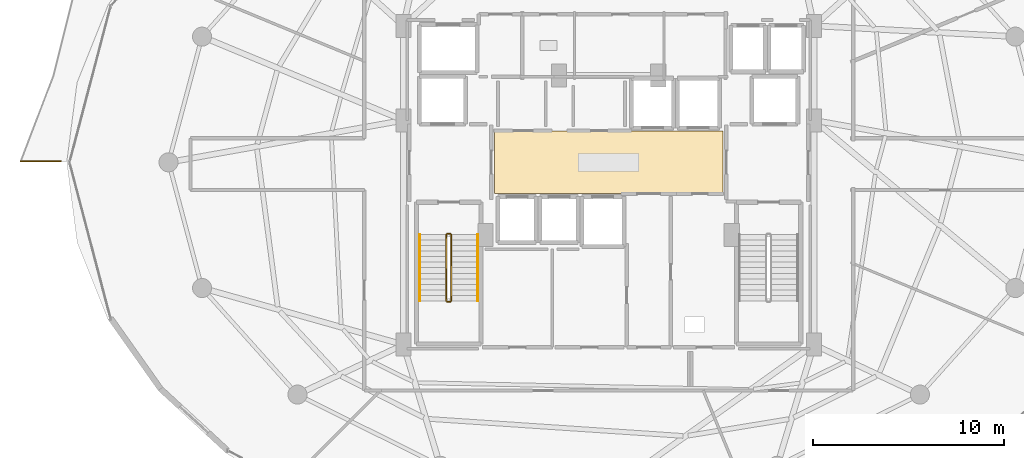
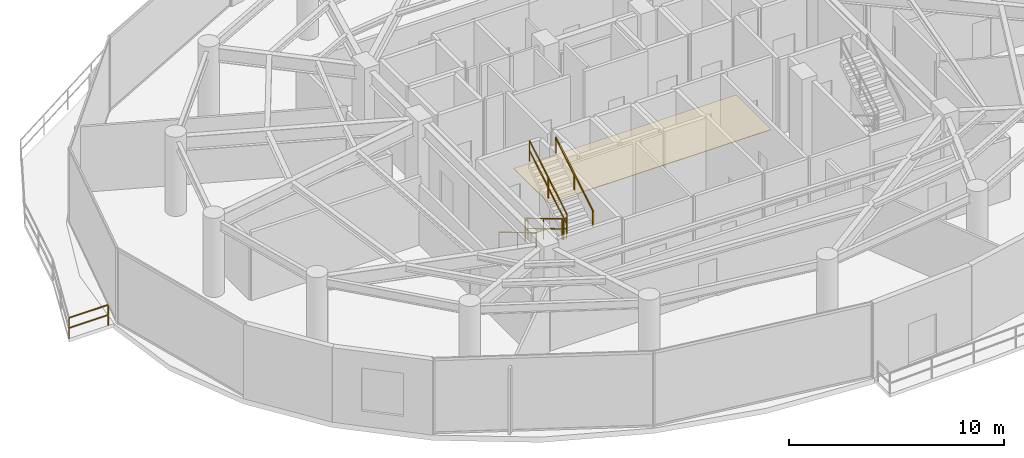
# One storey, part 28 of 31: 7 railings, 1 covering.
"""IFC4 building model written with IfcOpenShell, lengths in metres."""

import ifcopenshell
import ifcopenshell.guid

model = None  # the IFC model being written
_history = None  # IfcOwnerHistory: only IFC2X3 demands one
_inside = {}  # id of a spatial element -> (the spatial element, [elements in it])
_under = {}  # id of a project, library or spatial element -> (it, [spatial elements below it])
_declared = {}  # id of a project -> (the project, [libraries it declares])
_typed = {}  # id of a type object -> (the type object, [elements of that type])
_made_of = {}  # id of a material, layer set ... -> (it, [elements and type objects made of it])


def new_model(schema):
    """Start an empty IFC model of exactly this schema.

    Asked for "IFC4X3", IfcOpenShell would pick the latest addendum, in which some entities
    have other attributes; the version numbers below select the first issue.
    IFC2X3 requires an IfcOwnerHistory on every rooted entity: one is made here for all.
    """
    global model, _history
    if schema == "IFC4X3":
        model = ifcopenshell.file(schema_version=(4, 3, 0, 0))
    else:
        model = ifcopenshell.file(schema=schema)
    _inside.clear()
    _under.clear()
    _declared.clear()
    _typed.clear()
    _made_of.clear()
    _history = None
    if model.schema == "IFC2X3":
        org = make("IfcOrganization", Name="unknown")
        user = make(
            "IfcPersonAndOrganization",
            ThePerson=make("IfcPerson", FamilyName="unknown"),
            TheOrganization=org,
        )
        app = make(
            "IfcApplication",
            ApplicationDeveloper=org,
            Version="unknown",
            ApplicationFullName="unknown",
            ApplicationIdentifier="unknown",
        )
        _history = make(
            "IfcOwnerHistory",
            OwningUser=user,
            OwningApplication=app,
            ChangeAction="ADDED",
            CreationDate=0,
        )
    return model


def make(cls, **values):
    """One entity of the class cls with the attributes given. An attribute that is None is left unset."""
    return model.create_entity(
        cls, **{name: value for name, value in values.items() if value is not None}
    )


def rooted(cls, **values):
    """An entity with a GlobalId (a new one), such as an element, a storey or a relation."""
    return make(cls, GlobalId=ifcopenshell.guid.new(), OwnerHistory=_history, **values)


def si_unit(unit_type, name, prefix=None):
    """IfcSIUnit, for example si_unit("LENGTHUNIT", "METRE", prefix="MILLI")."""
    return make("IfcSIUnit", UnitType=unit_type, Prefix=prefix, Name=name)


def assignment(units):
    """IfcUnitAssignment: the units of a project."""
    return None if units is None else make("IfcUnitAssignment", Units=units)


def point(xyz):
    """IfcCartesianPoint."""
    return None if xyz is None else make("IfcCartesianPoint", Coordinates=xyz)


def direction(xyz):
    """IfcDirection."""
    return None if xyz is None else make("IfcDirection", DirectionRatios=xyz)


def frame(location, z_axis=None, x_axis=None):
    """IfcAxis2Placement3D, a coordinate frame: its origin and axes. An axis left out is left unset."""
    return make(
        "IfcAxis2Placement3D",
        Location=point(location),
        Axis=direction(z_axis),
        RefDirection=direction(x_axis),
    )


def frame_2d(location, x_axis=None):
    """IfcAxis2Placement2D, a coordinate frame in the plane: its origin and x axis."""
    return make(
        "IfcAxis2Placement2D", Location=point(location), RefDirection=direction(x_axis)
    )


def origin():
    """The frame at (0, 0, 0) with its axes left unset."""
    return frame((0.0, 0.0, 0.0))


def origin_2d():
    """The frame at (0, 0) in the plane with its x axis left unset."""
    return frame_2d((0.0, 0.0))


def place(relative_to, where):
    """IfcLocalPlacement: puts the frame where relative to a parent placement (None: the world)."""
    return make(
        "IfcLocalPlacement", PlacementRelTo=relative_to, RelativePlacement=where
    )


def context(
    kind, dimensions, precision=None, world=None, true_north=None, identifier=None
):
    """IfcGeometricRepresentationContext, for example the 3D "Model" context."""
    return make(
        "IfcGeometricRepresentationContext",
        ContextIdentifier=identifier,
        ContextType=kind,
        CoordinateSpaceDimension=dimensions,
        Precision=precision,
        WorldCoordinateSystem=world,
        TrueNorth=true_north,
    )


def subcontext(parent, identifier, kind, view, scale=None):
    """IfcGeometricRepresentationSubContext, for example "Body" below "Model"."""
    return make(
        "IfcGeometricRepresentationSubContext",
        ContextIdentifier=identifier,
        ContextType=kind,
        ParentContext=parent,
        TargetScale=scale,
        TargetView=view,
    )


def project(units=None, contexts=None):
    """IfcProject with its units and contexts."""
    return rooted(
        "IfcProject",
        Name="project",
        RepresentationContexts=contexts,
        UnitsInContext=assignment(units),
    )


def spatial(cls, under=None, at=None, **own):
    """A site, building, storey or space (cls), placed at a placement, below another one or the project."""
    s = rooted(cls, ObjectPlacement=at, **own)
    if under is not None:
        _under.setdefault(under.id(), (under, []))[1].append(s)
    return s


def polyline(points):
    """IfcPolyline through the points."""
    return make("IfcPolyline", Points=[point(p) for p in points])


def profile(cls, at=None, kind="AREA", **sizes):
    """A parametric profile (cls). Its sizes go by their IFC names, for example OverallWidth=200.0."""
    return make(cls, ProfileType=kind, Position=at, **sizes)


def rectangle(**sizes):
    """IfcRectangleProfileDef."""
    return profile("IfcRectangleProfileDef", **sizes)


def outline(outer, holes=None, kind="AREA"):
    """IfcArbitraryClosedProfileDef: a profile drawn as a closed curve; with holes, ...WithVoids."""
    if holes is None:
        return make("IfcArbitraryClosedProfileDef", ProfileType=kind, OuterCurve=outer)
    return make(
        "IfcArbitraryProfileDefWithVoids",
        ProfileType=kind,
        OuterCurve=outer,
        InnerCurves=holes,
    )


def extrude(swept, where, along, depth):
    """IfcExtrudedAreaSolid: the profile swept, set in the frame where, extruded along a direction by depth."""
    return make(
        "IfcExtrudedAreaSolid",
        SweptArea=swept,
        Position=where,
        ExtrudedDirection=direction(along),
        Depth=depth,
    )


def shape(context_of_items, identifier, shape_type, items):
    """IfcShapeRepresentation: the items that make up one representation, for example the "Body"."""
    return make(
        "IfcShapeRepresentation",
        ContextOfItems=context_of_items,
        RepresentationIdentifier=identifier,
        RepresentationType=shape_type,
        Items=items,
    )


def material(Name=None, Category=None):
    """IfcMaterial."""
    return make("IfcMaterial", Name=Name, Category=Category)


def layer(
    of_material, thickness, ventilated=None, Name=None, Category=None, Priority=None
):
    """IfcMaterialLayer: one layer of a wall or slab, of a material (None: an air gap)."""
    return make(
        "IfcMaterialLayer",
        Material=of_material,
        LayerThickness=thickness,
        IsVentilated=ventilated,
        Name=Name,
        Category=Category,
        Priority=Priority,
    )


def layer_set(layers, Name=None):
    """IfcMaterialLayerSet."""
    return make("IfcMaterialLayerSet", MaterialLayers=layers, LayerSetName=Name)


def made_of(thing, what):
    """Note that an element or type object is made of a material, layer set ...; save() writes the relation."""
    if what is not None:
        _made_of.setdefault(what.id(), (what, []))[1].append(thing)
    return thing


def type_object(cls, material=None, **own):
    """A type object (cls), such as IfcWallType, which elements share."""
    return made_of(rooted(cls, **own), material)


def element(
    cls,
    number,
    at=None,
    inside=None,
    cuts=None,
    type_object=None,
    material=None,
    context=None,
    identifier="Body",
    shape_type=None,
    held_by="IfcProductDefinitionShape",
    body=None,
    shapes=None,
    **own,
):
    """One element of the class cls, such as IfcWall. Its Tag is "e" and its number.

    at: its placement. inside: the storey or other place that contains it. cuts: it is an
    opening in that element (IfcRelVoidsElement). A single representation is given by context,
    identifier, shape_type and body (its items); several are given by shapes. held_by: the class
    of the entity that holds the representations. save() writes the other relations.
    """
    e = rooted(cls, Tag="e%d" % number, ObjectPlacement=at, **own)
    if body is not None:
        shapes = [shape(context, identifier, shape_type, body)]
    if shapes is not None:
        e.Representation = make(held_by, Representations=shapes)
    if inside is not None:
        _inside.setdefault(inside.id(), (inside, []))[1].append(e)
    if cuts is not None:
        rooted(
            "IfcRelVoidsElement", RelatingBuildingElement=cuts, RelatedOpeningElement=e
        )
    if type_object is not None:
        _typed.setdefault(type_object.id(), (type_object, []))[1].append(e)
    return made_of(e, material)


def aggregate(whole, parts):
    """IfcRelAggregates: a whole, such as a stair, and the parts it consists of."""
    return rooted("IfcRelAggregates", RelatingObject=whole, RelatedObjects=parts)


def save(model, path):
    """Write the relations noted so far, then the file.

    IfcRelAggregates (storeys below a building ...), IfcRelContainedInSpatialStructure (elements
    in a storey), IfcRelDefinesByType, IfcRelAssociatesMaterial and IfcRelDeclares: one each for
    every whole, place, type object, material and project.
    """
    for whole, parts in _under.values():
        aggregate(whole, parts)
    for where, things in _inside.values():
        rooted(
            "IfcRelContainedInSpatialStructure",
            RelatedElements=things,
            RelatingStructure=where,
        )
    for kind, things in _typed.values():
        rooted("IfcRelDefinesByType", RelatedObjects=things, RelatingType=kind)
    for what, things in _made_of.values():
        rooted("IfcRelAssociatesMaterial", RelatedObjects=things, RelatingMaterial=what)
    for by, libraries in _declared.values():
        rooted("IfcRelDeclares", RelatingContext=by, RelatedDefinitions=libraries)
    model.write(path)


model = new_model("IFC4")

# Units and contexts
model_context = context("Model", 3, precision=1e-05, world=origin(), true_north=direction((0.0, 1.0)))
body_context = subcontext(model_context, "Body", "Model", "MODEL_VIEW")
ifc_project = project(units=[si_unit("LENGTHUNIT", "METRE"), si_unit("AREAUNIT", "SQUARE_METRE"), si_unit("VOLUMEUNIT", "CUBIC_METRE"), si_unit("PLANEANGLEUNIT", "RADIAN"), si_unit("MASSUNIT", "GRAM", prefix="KILO")], contexts=[model_context])

# Site, building, storey
site_placement = place(None, origin())
site = spatial("IfcSite", under=ifc_project, at=site_placement, CompositionType="ELEMENT")
building_placement = place(site_placement, origin())
building = spatial("IfcBuilding", under=site, at=building_placement, Name="Vorneva Point Tower", CompositionType="ELEMENT")
storey_placement = place(building_placement, frame((0.0, 0.0, 174.60009765625)))
storey = spatial("IfcBuildingStorey", under=building, at=storey_placement, Name="L47", CompositionType="ELEMENT", Elevation=174.60009765625)

# Covering
ifc_material_1 = material(Name="Polished Ural granite terrazzo", Category="masonry")
ifc_layer = layer(ifc_material_1, 0.02490234375)
ifc_layer_set = layer_set([ifc_layer], Name="Polished Ural granite terrazzo")
covering_type = type_object("IfcCoveringType", Name="COV-FLR-TRZ", PredefinedType="FLOORING", material=ifc_layer_set)
covering_placement = place(storey_placement, frame((0.0, 0.0, -0.005126953125)))
element("IfcCovering", 1, at=covering_placement, inside=storey, type_object=covering_type, Name="L47 Lift Lobby Floor Finish", PredefinedType="FLOORING", context=body_context, shape_type="SweptSolid", body=[
    extrude(outline(polyline([(32.02001953125, 24.3701171875), (43.97998046875, 24.3701171875), (43.97998046875, 27.6298828125), (32.02001953125, 27.6298828125), (32.02001953125, 24.3701171875)])), origin(), (0.0, 0.0, 1.0), 0.030029296875),
])

# Railings
ifc_material_2 = material(Name="Pale anodised aluminium", Category="aluminium")
railing_type_1 = type_object("IfcRailingType", Name="RL-BAL-1200", PredefinedType="BALUSTRADE", material=ifc_material_2)
railing_1_placement = place(storey_placement, frame((7.194091796875, 26.050048828125, 0.0)))
element("IfcRailing", 2, at=railing_1_placement, inside=storey, type_object=railing_type_1, Name="L47 Wave Balcony Balustrade NW.1", PredefinedType="BALUSTRADE", context=body_context, shape_type="SweptSolid", body=[
    extrude(rectangle(XDim=0.048095703125, YDim=0.048095703125, at=origin_2d()), frame((0.0, 0.0, 1.17578125), z_axis=(1.0, 0.0, 0.0), x_axis=(0.0, 1.0, 0.0)), (0.0, 0.0, 1.0), 2.109619140625),
    extrude(rectangle(XDim=0.048095703125, YDim=0.048095703125, at=origin_2d()), frame((0.0, 0.0, 0.60009765625), z_axis=(1.0, 0.0, 0.0), x_axis=(0.0, 1.0, 0.0)), (0.0, 0.0, 1.0), 2.109619140625),
    extrude(rectangle(XDim=0.0419921875, YDim=0.0419921875, at=origin_2d()), origin(), (0.0, 0.0, 1.0), 1.15185546875),
    extrude(rectangle(XDim=0.0419921875, YDim=0.0419921875, at=origin_2d()), frame((2.109619140625, 0.0, 0.0)), (0.0, 0.0, 1.0), 1.15185546875),
])
ifc_material_3 = material(Name="Brushed stainless steel S304", Category="steel")
railing_type_2 = type_object("IfcRailingType", Name="RL-HND-920", PredefinedType="HANDRAIL", material=ifc_material_3)
railing_2_placement = place(storey_placement, frame((28.10009765625, 22.219970703125, 0.173095703125)))
element("IfcRailing", 3, at=railing_2_placement, inside=storey, type_object=railing_type_2, Name="L47 ST1 stair handrail 1", PredefinedType="HANDRAIL", context=body_context, shape_type="SweptSolid", body=[
    extrude(rectangle(XDim=0.048095703125, YDim=0.048095703125, at=origin_2d()), frame((0.0, 0.0, 0.8759765625), z_axis=(0.0, -0.858697190188, 0.512483302717), x_axis=(1.0, 0.0, 0.0)), (0.0, 0.0, 1.0), 4.052734375),
    extrude(rectangle(XDim=0.0419921875, YDim=0.0419921875, at=origin_2d()), origin(), (0.0, 0.0, 1.0), 0.851806640625),
    extrude(rectangle(XDim=0.0419921875, YDim=0.0419921875, at=origin_2d()), frame((0.0, -1.739990234375, 1.03857421875)), (0.0, 0.0, 1.0), 0.851806640625),
    extrude(rectangle(XDim=0.0419921875, YDim=0.0419921875, at=origin_2d()), frame((0.0, -3.47998046875, 2.076904296875)), (0.0, 0.0, 1.0), 0.851806640625),
])
railing_3_placement = place(storey_placement, frame((31.14990234375, 18.739990234375, 2.423095703125)))
element("IfcRailing", 4, at=railing_3_placement, inside=storey, type_object=railing_type_2, Name="L47 ST1 stair handrail 2", PredefinedType="HANDRAIL", context=body_context, shape_type="SweptSolid", body=[
    extrude(rectangle(XDim=0.048095703125, YDim=0.048095703125, at=origin_2d()), frame((0.0, 0.0, 0.8759765625), z_axis=(0.0, 0.858697190188, 0.512483302717), x_axis=(-1.0, 0.0, 0.0)), (0.0, 0.0, 1.0), 4.052734375),
    extrude(rectangle(XDim=0.0419921875, YDim=0.0419921875, at=origin_2d()), origin(), (0.0, 0.0, 1.0), 0.851806640625),
    extrude(rectangle(XDim=0.0419921875, YDim=0.0419921875, at=origin_2d()), frame((0.0, 1.739990234375, 1.03857421875)), (0.0, 0.0, 1.0), 0.851806640625),
    extrude(rectangle(XDim=0.0419921875, YDim=0.0419921875, at=origin_2d()), frame((0.0, 3.47998046875, 2.076904296875)), (0.0, 0.0, 1.0), 0.851806640625),
])
railing_type_3 = type_object("IfcRailingType", Name="RL-STG-1100", PredefinedType="GUARDRAIL", material=ifc_material_3)
railing_4_placement = place(storey_placement, frame((29.5, 22.219970703125, 0.173095703125)))
element("IfcRailing", 5, at=railing_4_placement, inside=storey, type_object=railing_type_3, Name="L47 ST1 stair guard 1", PredefinedType="GUARDRAIL", context=body_context, shape_type="SweptSolid", body=[
    extrude(rectangle(XDim=0.048095703125, YDim=0.048095703125, at=origin_2d()), frame((0.0, 0.0, 1.17578125), z_axis=(0.0, -0.858697190188, 0.512483302717), x_axis=(1.0, 0.0, 0.0)), (0.0, 0.0, 1.0), 4.052734375),
    extrude(rectangle(XDim=0.048095703125, YDim=0.048095703125, at=origin_2d()), frame((0.0, 0.0, 0.60009765625), z_axis=(0.0, -0.858697190188, 0.512483302717), x_axis=(1.0, 0.0, 0.0)), (0.0, 0.0, 1.0), 4.052734375),
    extrude(rectangle(XDim=0.0419921875, YDim=0.0419921875, at=origin_2d()), origin(), (0.0, 0.0, 1.0), 1.15185546875),
    extrude(rectangle(XDim=0.0419921875, YDim=0.0419921875, at=origin_2d()), frame((0.0, -1.739990234375, 1.03857421875)), (0.0, 0.0, 1.0), 1.15185546875),
    extrude(rectangle(XDim=0.0419921875, YDim=0.0419921875, at=origin_2d()), frame((0.0, -3.47998046875, 2.076904296875)), (0.0, 0.0, 1.0), 1.15185546875),
])
railing_5_placement = place(storey_placement, frame((29.550048828125, 18.68994140625, 2.25)))
element("IfcRailing", 6, at=railing_5_placement, inside=storey, type_object=railing_type_3, Name="L47 ST1 stair guard 2", PredefinedType="GUARDRAIL", context=body_context, shape_type="SweptSolid", body=[
    extrude(rectangle(XDim=0.048095703125, YDim=0.048095703125, at=origin_2d()), frame((0.0, 0.0, 1.17578125), z_axis=(1.0, 0.0, 0.0), x_axis=(0.0, 1.0, 0.0)), (0.0, 0.0, 1.0), 0.14990234375),
    extrude(rectangle(XDim=0.048095703125, YDim=0.048095703125, at=origin_2d()), frame((0.0, 0.0, 0.60009765625), z_axis=(1.0, 0.0, 0.0), x_axis=(0.0, 1.0, 0.0)), (0.0, 0.0, 1.0), 0.14990234375),
    extrude(rectangle(XDim=0.0419921875, YDim=0.0419921875, at=origin_2d()), origin(), (0.0, 0.0, 1.0), 1.15185546875),
    extrude(rectangle(XDim=0.0419921875, YDim=0.0419921875, at=origin_2d()), frame((0.14990234375, 0.0, 0.0)), (0.0, 0.0, 1.0), 1.15185546875),
])
railing_6_placement = place(storey_placement, frame((29.75, 18.739990234375, 2.423095703125)))
element("IfcRailing", 7, at=railing_6_placement, inside=storey, type_object=railing_type_3, Name="L47 ST1 stair guard 3", PredefinedType="GUARDRAIL", context=body_context, shape_type="SweptSolid", body=[
    extrude(rectangle(XDim=0.048095703125, YDim=0.048095703125, at=origin_2d()), frame((0.0, 0.0, 1.17578125), z_axis=(0.0, 0.858697190188, 0.512483302717), x_axis=(-1.0, 0.0, 0.0)), (0.0, 0.0, 1.0), 4.052734375),
    extrude(rectangle(XDim=0.048095703125, YDim=0.048095703125, at=origin_2d()), frame((0.0, 0.0, 0.60009765625), z_axis=(0.0, 0.858697190188, 0.512483302717), x_axis=(-1.0, 0.0, 0.0)), (0.0, 0.0, 1.0), 4.052734375),
    extrude(rectangle(XDim=0.0419921875, YDim=0.0419921875, at=origin_2d()), origin(), (0.0, 0.0, 1.0), 1.15185546875),
    extrude(rectangle(XDim=0.0419921875, YDim=0.0419921875, at=origin_2d()), frame((0.0, 1.739990234375, 1.03857421875)), (0.0, 0.0, 1.0), 1.15185546875),
    extrude(rectangle(XDim=0.0419921875, YDim=0.0419921875, at=origin_2d()), frame((0.0, 3.47998046875, 2.076904296875)), (0.0, 0.0, 1.0), 1.15185546875),
])
railing_7_placement = place(storey_placement, frame((29.550048828125, 22.27001953125, 0.0)))
element("IfcRailing", 8, at=railing_7_placement, inside=storey, type_object=railing_type_3, Name="L47 ST1 stair guard 4", PredefinedType="GUARDRAIL", context=body_context, shape_type="SweptSolid", body=[
    extrude(rectangle(XDim=0.048095703125, YDim=0.048095703125, at=origin_2d()), frame((0.0, 0.0, 1.17578125), z_axis=(1.0, 0.0, 0.0), x_axis=(0.0, 1.0, 0.0)), (0.0, 0.0, 1.0), 0.14990234375),
    extrude(rectangle(XDim=0.048095703125, YDim=0.048095703125, at=origin_2d()), frame((0.0, 0.0, 0.60009765625), z_axis=(1.0, 0.0, 0.0), x_axis=(0.0, 1.0, 0.0)), (0.0, 0.0, 1.0), 0.14990234375),
    extrude(rectangle(XDim=0.0419921875, YDim=0.0419921875, at=origin_2d()), origin(), (0.0, 0.0, 1.0), 1.15185546875),
    extrude(rectangle(XDim=0.0419921875, YDim=0.0419921875, at=origin_2d()), frame((0.14990234375, 0.0, 0.0)), (0.0, 0.0, 1.0), 1.15185546875),
])

save(model, "model.ifc")
